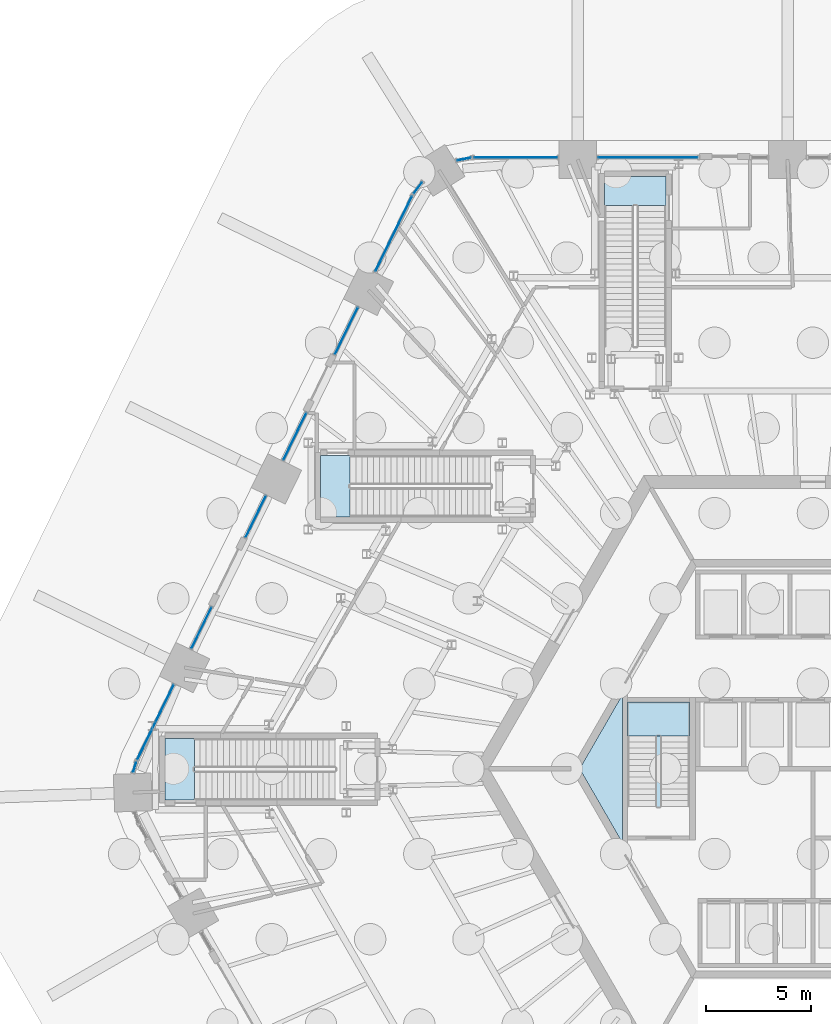
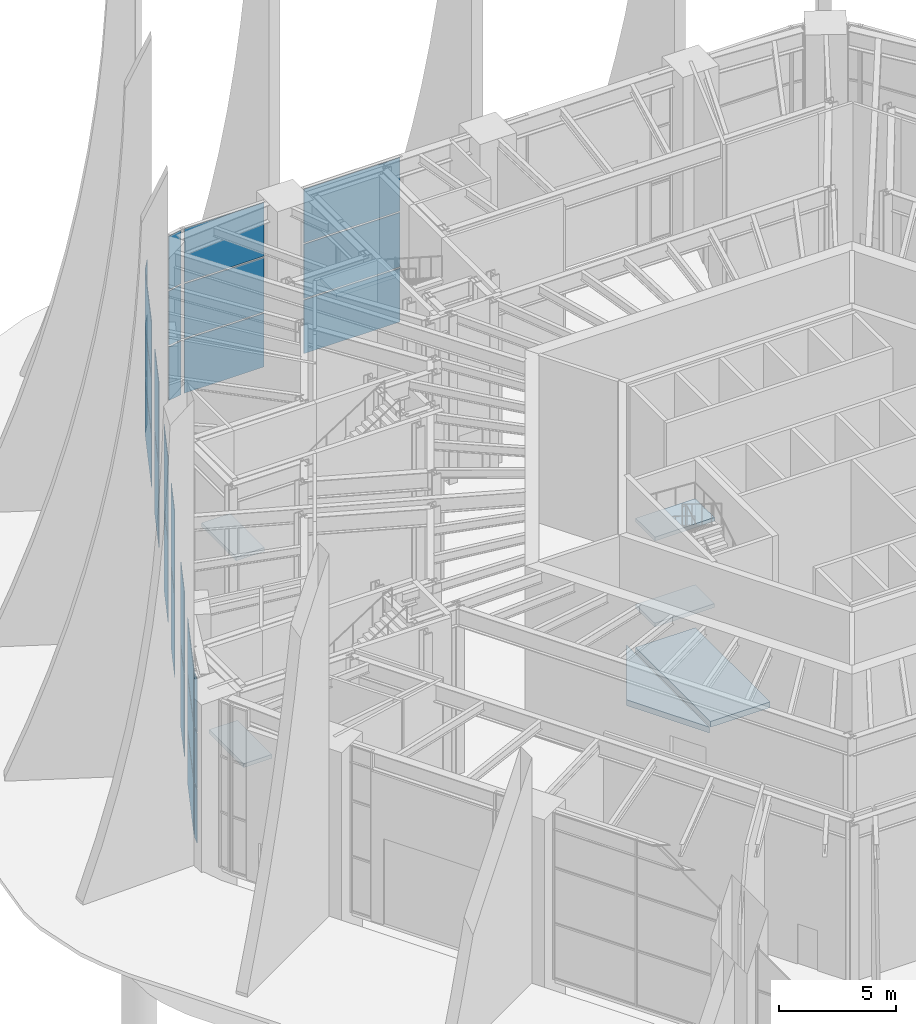
# One storey, part 21 of 43: 29 plates, 7 slabs, 15 elements without a shape of their own.
"""IFC4 building model written with IfcOpenShell, lengths in metres."""

from ifc_helpers import new_model, si_unit, direction, frame, origin, origin_2d, place, context, subcontext, project, spatial, polyline, rectangle, outline, extrude, material, layer, layer_set, type_object, element, aggregate, save


model = new_model("IFC4")

# Units and contexts
model_context = context("Model", 3, precision=1e-05, world=origin(), true_north=direction((0.0, 1.0)))
body_context = subcontext(model_context, "Body", "Model", "MODEL_VIEW")
ifc_project = project(units=[si_unit("LENGTHUNIT", "METRE"), si_unit("AREAUNIT", "SQUARE_METRE"), si_unit("VOLUMEUNIT", "CUBIC_METRE"), si_unit("PLANEANGLEUNIT", "RADIAN"), si_unit("MASSUNIT", "GRAM", prefix="KILO")], contexts=[model_context])

# Site, building, storey
site_placement = place(None, origin())
site = spatial("IfcSite", under=ifc_project, at=site_placement, CompositionType="ELEMENT")
building_placement = place(site_placement, origin())
building = spatial("IfcBuilding", under=site, at=building_placement, Name="Tarnside Tower", CompositionType="ELEMENT")
storey_placement = place(building_placement, origin())
storey = spatial("IfcBuildingStorey", under=building, at=storey_placement, Name="L00", CompositionType="ELEMENT", Elevation=0.0)

# Slabs
ifc_material_1 = material(Name="Concrete C40/50", Category="concrete")
ifc_layer_1 = layer(ifc_material_1, 0.300048828125)
ifc_layer_set_1 = layer_set([ifc_layer_1], Name="Core ground slab C40/50")
slab_type_1 = type_object("IfcSlabType", Name="Core ground slab C40/50", PredefinedType="BASESLAB", material=ifc_layer_set_1)
slab_1_placement = place(storey_placement, frame((0.0, 0.0, -0.300048828125)))
element("IfcSlab", 1, at=slab_1_placement, inside=storey, type_object=slab_type_1, Name="L00 core floor slab 4", PredefinedType="BASESLAB", context=body_context, shape_type="SweptSolid", body=[
    extrude(outline(polyline([(-11.142822265625, 0.0), (-9.10009765625, 3.538330078125), (-9.10009765625, -3.538330078125), (-11.142822265625, 0.0)])), origin(), (0.0, 0.0, 1.0), 0.300048828125),
])
slab_2_placement = place(storey_placement, frame((0.0, 0.0, -0.300048828125)))
element("IfcSlab", 2, at=slab_2_placement, inside=storey, type_object=slab_type_1, Name="L00 core floor slab 5", PredefinedType="BASESLAB", context=body_context, shape_type="SweptSolid", body=[
    extrude(outline(polyline([(-8.85009765625, 3.199951171875), (-5.89990234375, 3.199951171875), (-5.89990234375, -3.199951171875), (-8.85009765625, -3.199951171875), (-8.85009765625, 3.199951171875)])), origin(), (0.0, 0.0, 1.0), 0.300048828125),
])

# Stair, slab
stair_type_1 = type_object("IfcStairType", Name="Podium exit stair 1400 clear", PredefinedType="HALF_TURN_STAIR", material=ifc_material_1)
stair_1_placement = place(storey_placement, origin())
stair_1 = element("IfcStair", 3, at=stair_1_placement, inside=storey, type_object=stair_type_1, Name="L00 Podium exit stair 1", PredefinedType="HALF_TURN_STAIR")
ifc_layer_2 = layer(ifc_material_1, 0.199951171875)
ifc_layer_set_2 = layer_set([ifc_layer_2], Name="Podium stair landing 200 C40/50")
slab_type_2 = type_object("IfcSlabType", Name="Podium stair landing 200 C40/50", PredefinedType="LANDING", material=ifc_layer_set_2)
slab_3_placement = place(storey_placement, frame((0.0, 0.0, 4.300048828125)))
slab_3 = element("IfcSlab", 4, at=slab_3_placement, type_object=slab_type_2, Name="PS1 landing 1", PredefinedType="LANDING", context=body_context, shape_type="SweptSolid", body=[
    extrude(outline(polyline([(-7.0146484375, 26.89990234375), (-7.0146484375, 28.300048828125), (-9.96484375, 28.300048828125), (-9.96484375, 26.89990234375), (-7.0146484375, 26.89990234375)])), origin(), (0.0, 0.0, 1.0), 0.199951171875),
])
aggregate(stair_1, [slab_3])

stair_2_placement = place(storey_placement, origin())
stair_2 = element("IfcStair", 5, at=stair_2_placement, inside=storey, type_object=stair_type_1, Name="L00 Podium exit stair 2", PredefinedType="HALF_TURN_STAIR")
slab_4_placement = place(storey_placement, frame((0.0, 0.0, 4.300048828125)))
slab_4 = element("IfcSlab", 6, at=slab_4_placement, type_object=slab_type_2, Name="PS2 landing 1", PredefinedType="LANDING", context=body_context, shape_type="SweptSolid", body=[
    extrude(outline(polyline([(-29.550048828125, 1.449951171875), (-30.949951171875, 1.449951171875), (-30.949951171875, -1.5), (-29.550048828125, -1.5), (-29.550048828125, 1.449951171875)])), origin(), (0.0, 0.0, 1.0), 0.199951171875),
])
aggregate(stair_2, [slab_4])

stair_3_placement = place(storey_placement, origin())
stair_3 = element("IfcStair", 7, at=stair_3_placement, inside=storey, type_object=stair_type_1, Name="L00 Podium exit stair 6", PredefinedType="HALF_TURN_STAIR")
slab_5_placement = place(storey_placement, frame((0.0, 0.0, 4.300048828125)))
slab_5 = element("IfcSlab", 8, at=slab_5_placement, type_object=slab_type_2, Name="PS6 landing 1", PredefinedType="LANDING", context=body_context, shape_type="SweptSolid", body=[
    extrude(outline(polyline([(-22.110107421875, 14.97509765625), (-23.510009765625, 14.97509765625), (-23.510009765625, 12.02490234375), (-22.110107421875, 12.02490234375), (-22.110107421875, 14.97509765625)])), origin(), (0.0, 0.0, 1.0), 0.199951171875),
])
aggregate(stair_3, [slab_5])

# Curtain wall, plates
ifc_material_2 = material(Name="Retail shopfront glazing wall", Category="glass")
curtain_wall_type_1 = type_object("IfcCurtainWallType", Name="Retail shopfront glazing wall", PredefinedType="NOTDEFINED", material=ifc_material_2)
curtain_wall_1_placement = place(storey_placement, origin())
curtain_wall_1 = element("IfcCurtainWall", 9, at=curtain_wall_1_placement, inside=storey, type_object=curtain_wall_type_1, Name="Side light 04a", PredefinedType="NOTDEFINED")
ifc_material_3 = material(Name="Low-iron safety glass", Category="glass")
ifc_layer_3 = layer(ifc_material_3, 0.028076171875)
ifc_layer_set_3 = layer_set([ifc_layer_3], Name="Retail shopfront glazing panel 28")
plate_type_1 = type_object("IfcPlateType", Name="Retail shopfront glazing panel 28", PredefinedType="CURTAIN_PANEL", material=ifc_layer_set_3)
plate_1_placement = place(storey_placement, frame((-22.286865234375, 20.91552734375, 0.06005859375), z_axis=(0.0, 0.0, 1.0), x_axis=(-0.438371146883, -0.898794046253, 0.0)))
plate_1 = element("IfcPlate", 10, at=plate_1_placement, type_object=plate_type_1, Name="CW2 panel 1.1", PredefinedType="CURTAIN_PANEL", context=body_context, shape_type="SweptSolid", body=[
    extrude(rectangle(XDim=2.491943359375, YDim=0.028076171875, at=origin_2d()), origin(), (0.0, 0.0, 1.0), 4.284912109375),
])
plate_2_placement = place(storey_placement, frame((-22.286865234375, 20.91552734375, 4.4052734375), z_axis=(0.0, 0.0, 1.0), x_axis=(-0.438371146883, -0.898794046253, 0.0)))
plate_2 = element("IfcPlate", 11, at=plate_2_placement, type_object=plate_type_1, Name="CW2 panel 1.2", PredefinedType="CURTAIN_PANEL", context=body_context, shape_type="SweptSolid", body=[
    extrude(rectangle(XDim=2.491943359375, YDim=0.028076171875, at=origin_2d()), origin(), (0.0, 0.0, 1.0), 4.284912109375),
])
aggregate(curtain_wall_1, [plate_1, plate_2])

curtain_wall_2_placement = place(storey_placement, origin())
curtain_wall_2 = element("IfcCurtainWall", 12, at=curtain_wall_2_placement, inside=storey, type_object=curtain_wall_type_1, Name="Side light 04b", PredefinedType="NOTDEFINED")
plate_3_placement = place(storey_placement, frame((-24.746826171875, 15.87158203125, 0.06005859375), z_axis=(0.0, 0.0, 1.0), x_axis=(-0.438371146883, -0.898794046253, 0.0)))
plate_3 = element("IfcPlate", 13, at=plate_3_placement, type_object=plate_type_1, Name="CW2 panel 1.1", PredefinedType="CURTAIN_PANEL", context=body_context, shape_type="SweptSolid", body=[
    extrude(rectangle(XDim=2.491943359375, YDim=0.028076171875, at=origin_2d()), origin(), (0.0, 0.0, 1.0), 4.284912109375),
])
plate_4_placement = place(storey_placement, frame((-24.746826171875, 15.87158203125, 4.4052734375), z_axis=(0.0, 0.0, 1.0), x_axis=(-0.438371146883, -0.898794046253, 0.0)))
plate_4 = element("IfcPlate", 14, at=plate_4_placement, type_object=plate_type_1, Name="CW2 panel 1.2", PredefinedType="CURTAIN_PANEL", context=body_context, shape_type="SweptSolid", body=[
    extrude(rectangle(XDim=2.491943359375, YDim=0.028076171875, at=origin_2d()), origin(), (0.0, 0.0, 1.0), 4.284912109375),
])
aggregate(curtain_wall_2, [plate_3, plate_4])

curtain_wall_3_placement = place(storey_placement, origin())
curtain_wall_3 = element("IfcCurtainWall", 15, at=curtain_wall_3_placement, inside=storey, type_object=curtain_wall_type_1, Name="Side light 05a", PredefinedType="NOTDEFINED")
plate_5_placement = place(storey_placement, frame((-26.615234375, 12.041015625, 0.06005859375), z_axis=(0.0, 0.0, 1.0), x_axis=(-0.43837114693, -0.89879404623, 0.0)))
plate_5 = element("IfcPlate", 16, at=plate_5_placement, type_object=plate_type_1, Name="CW2 panel 1.1", PredefinedType="CURTAIN_PANEL", context=body_context, shape_type="SweptSolid", body=[
    extrude(rectangle(XDim=2.19189453125, YDim=0.028076171875, at=origin_2d()), origin(), (0.0, 0.0, 1.0), 4.284912109375),
])
plate_6_placement = place(storey_placement, frame((-26.615234375, 12.041015625, 4.4052734375), z_axis=(0.0, 0.0, 1.0), x_axis=(-0.43837114693, -0.89879404623, 0.0)))
plate_6 = element("IfcPlate", 17, at=plate_6_placement, type_object=plate_type_1, Name="CW2 panel 1.2", PredefinedType="CURTAIN_PANEL", context=body_context, shape_type="SweptSolid", body=[
    extrude(rectangle(XDim=2.19189453125, YDim=0.028076171875, at=origin_2d()), origin(), (0.0, 0.0, 1.0), 4.284912109375),
])
aggregate(curtain_wall_3, [plate_5, plate_6])

curtain_wall_4_placement = place(storey_placement, origin())
curtain_wall_4 = element("IfcCurtainWall", 18, at=curtain_wall_4_placement, inside=storey, type_object=curtain_wall_type_1, Name="Side light 05b", PredefinedType="NOTDEFINED")
plate_7_placement = place(storey_placement, frame((-29.206787109375, 6.7275390625, 0.06005859375), z_axis=(0.0, 0.0, 1.0), x_axis=(-0.43837114693, -0.89879404623, 0.0)))
plate_7 = element("IfcPlate", 19, at=plate_7_placement, type_object=plate_type_1, Name="CW2 panel 1.1", PredefinedType="CURTAIN_PANEL", context=body_context, shape_type="SweptSolid", body=[
    extrude(rectangle(XDim=2.19189453125, YDim=0.028076171875, at=origin_2d()), origin(), (0.0, 0.0, 1.0), 4.284912109375),
])
plate_8_placement = place(storey_placement, frame((-29.206787109375, 6.7275390625, 4.4052734375), z_axis=(0.0, 0.0, 1.0), x_axis=(-0.43837114693, -0.89879404623, 0.0)))
plate_8 = element("IfcPlate", 20, at=plate_8_placement, type_object=plate_type_1, Name="CW2 panel 1.2", PredefinedType="CURTAIN_PANEL", context=body_context, shape_type="SweptSolid", body=[
    extrude(rectangle(XDim=2.19189453125, YDim=0.028076171875, at=origin_2d()), origin(), (0.0, 0.0, 1.0), 4.284912109375),
])
aggregate(curtain_wall_4, [plate_7, plate_8])

# Stair, slabs
stair_type_2 = type_object("IfcStairType", Name="Exit stair 1400 clear", PredefinedType="HALF_TURN_STAIR", material=ifc_material_1)
stair_4_placement = place(storey_placement, origin())
stair_4 = element("IfcStair", 21, at=stair_4_placement, inside=storey, type_object=stair_type_2, Name="L00 Exit stair 2", PredefinedType="HALF_TURN_STAIR")
ifc_layer_4 = layer(ifc_material_1, 0.199951171875)
ifc_layer_set_4 = layer_set([ifc_layer_4], Name="Stair landing 200 C40/50")
slab_type_3 = type_object("IfcSlabType", Name="Stair landing 200 C40/50", PredefinedType="LANDING", material=ifc_layer_set_4)
slab_6_placement = place(storey_placement, frame((0.0, 0.0, 2.050048828125)))
slab_6 = element("IfcSlab", 22, at=slab_6_placement, type_object=slab_type_3, Name="ST2 landing 1", PredefinedType="LANDING", context=body_context, shape_type="SweptSolid", body=[
    extrude(outline(polyline([(-5.89990234375, 1.56005859375), (-5.89990234375, 3.199951171875), (-8.85009765625, 3.199951171875), (-8.85009765625, 1.56005859375), (-5.89990234375, 1.56005859375)])), origin(), (0.0, 0.0, 1.0), 0.199951171875),
])
slab_7_placement = place(storey_placement, frame((0.0, 0.0, 6.550048828125)))
slab_7 = element("IfcSlab", 23, at=slab_7_placement, type_object=slab_type_3, Name="ST2 landing 3", PredefinedType="LANDING", context=body_context, shape_type="SweptSolid", body=[
    extrude(outline(polyline([(-5.89990234375, 1.56005859375), (-5.89990234375, 3.199951171875), (-8.85009765625, 3.199951171875), (-8.85009765625, 1.56005859375), (-5.89990234375, 1.56005859375)])), origin(), (0.0, 0.0, 1.0), 0.199951171875),
])
aggregate(stair_4, [slab_6, slab_7])

# Curtain wall, plates
ifc_material_4 = material(Name="Station concourse glazing wall", Category="glass")
curtain_wall_type_2 = type_object("IfcCurtainWallType", Name="Station concourse glazing wall", PredefinedType="NOTDEFINED", material=ifc_material_4)
curtain_wall_5_placement = place(storey_placement, origin())
curtain_wall_5 = element("IfcCurtainWall", 24, at=curtain_wall_5_placement, inside=storey, type_object=curtain_wall_type_2, Name="Side light 010x1", PredefinedType="NOTDEFINED")
ifc_layer_5 = layer(ifc_material_3, 0.031982421875)
ifc_layer_set_5 = layer_set([ifc_layer_5], Name="Station concourse glazing panel 32")
plate_type_2 = type_object("IfcPlateType", Name="Station concourse glazing panel 32", PredefinedType="CURTAIN_PANEL", material=ifc_layer_set_5)
plate_9_placement = place(storey_placement, frame((-7.872802734375, 29.199951171875, 0.080078125), z_axis=(0.0, 0.0, 1.0), x_axis=(-1.0, 0.0, 0.0)))
plate_9 = element("IfcPlate", 25, at=plate_9_placement, type_object=plate_type_2, Name="CW1 panel 1.1", PredefinedType="CURTAIN_PANEL", context=body_context, shape_type="SweptSolid", body=[
    extrude(rectangle(XDim=4.763671875, YDim=0.031982421875, at=origin_2d()), origin(), (0.0, 0.0, 1.0), 2.796630859375),
])
plate_10_placement = place(storey_placement, frame((-7.872802734375, 29.199951171875, 2.95654296875), z_axis=(0.0, 0.0, 1.0), x_axis=(-1.0, 0.0, 0.0)))
plate_10 = element("IfcPlate", 26, at=plate_10_placement, type_object=plate_type_2, Name="CW1 panel 1.2", PredefinedType="CURTAIN_PANEL", context=body_context, shape_type="SweptSolid", body=[
    extrude(rectangle(XDim=4.763671875, YDim=0.031982421875, at=origin_2d()), origin(), (0.0, 0.0, 1.0), 2.836669921875),
])
plate_11_placement = place(storey_placement, frame((-7.872802734375, 29.199951171875, 5.87353515625), z_axis=(0.0, 0.0, 1.0), x_axis=(-1.0, 0.0, 0.0)))
plate_11 = element("IfcPlate", 27, at=plate_11_placement, type_object=plate_type_2, Name="CW1 panel 1.3", PredefinedType="CURTAIN_PANEL", context=body_context, shape_type="SweptSolid", body=[
    extrude(rectangle(XDim=4.763671875, YDim=0.031982421875, at=origin_2d()), origin(), (0.0, 0.0, 1.0), 2.796630859375),
])
aggregate(curtain_wall_5, [plate_9, plate_10, plate_11])

curtain_wall_6_placement = place(storey_placement, origin())
curtain_wall_6 = element("IfcCurtainWall", 28, at=curtain_wall_6_placement, inside=storey, type_object=curtain_wall_type_2, Name="Station concourse glazing L00 02.0", PredefinedType="NOTDEFINED")
plate_12_placement = place(storey_placement, frame((-14.190673828125, 29.199951171875, 0.080078125), z_axis=(0.0, 0.0, 1.0), x_axis=(-1.0, 0.0, 0.0)))
plate_12 = element("IfcPlate", 29, at=plate_12_placement, type_object=plate_type_2, Name="CW1 panel 1.1", PredefinedType="CURTAIN_PANEL", context=body_context, shape_type="SweptSolid", body=[
    extrude(rectangle(XDim=3.951904296875, YDim=0.031982421875, at=origin_2d()), origin(), (0.0, 0.0, 1.0), 2.796630859375),
])
plate_13_placement = place(storey_placement, frame((-14.190673828125, 29.199951171875, 2.95654296875), z_axis=(0.0, 0.0, 1.0), x_axis=(-1.0, 0.0, 0.0)))
plate_13 = element("IfcPlate", 30, at=plate_13_placement, type_object=plate_type_2, Name="CW1 panel 1.2", PredefinedType="CURTAIN_PANEL", context=body_context, shape_type="SweptSolid", body=[
    extrude(rectangle(XDim=3.951904296875, YDim=0.031982421875, at=origin_2d()), origin(), (0.0, 0.0, 1.0), 2.836669921875),
])
plate_14_placement = place(storey_placement, frame((-14.190673828125, 29.199951171875, 5.87353515625), z_axis=(0.0, 0.0, 1.0), x_axis=(-1.0, 0.0, 0.0)))
plate_14 = element("IfcPlate", 31, at=plate_14_placement, type_object=plate_type_2, Name="CW1 panel 1.3", PredefinedType="CURTAIN_PANEL", context=body_context, shape_type="SweptSolid", body=[
    extrude(rectangle(XDim=3.951904296875, YDim=0.031982421875, at=origin_2d()), origin(), (0.0, 0.0, 1.0), 2.796630859375),
])
aggregate(curtain_wall_6, [plate_12, plate_13, plate_14])

curtain_wall_7_placement = place(storey_placement, origin())
curtain_wall_7 = element("IfcCurtainWall", 32, at=curtain_wall_7_placement, inside=storey, type_object=curtain_wall_type_2, Name="Station concourse glazing L00 02.1", PredefinedType="NOTDEFINED")
plate_15_placement = place(storey_placement, frame((-16.668701171875, 29.122314453125, 0.080078125), z_axis=(0.0, 0.0, 1.0), x_axis=(-0.982720646541, -0.185094923925, 0.0)))
plate_15 = element("IfcPlate", 33, at=plate_15_placement, type_object=plate_type_2, Name="CW1 panel 1.1", PredefinedType="CURTAIN_PANEL", context=body_context, shape_type="SweptSolid", body=[
    extrude(rectangle(XDim=0.661376953125, YDim=0.031982421875, at=origin_2d()), origin(), (0.0, 0.0, 1.0), 2.796630859375),
])
plate_16_placement = place(storey_placement, frame((-16.668701171875, 29.122314453125, 2.95654296875), z_axis=(0.0, 0.0, 1.0), x_axis=(-0.982720646541, -0.185094923925, 0.0)))
plate_16 = element("IfcPlate", 34, at=plate_16_placement, type_object=plate_type_2, Name="CW1 panel 1.2", PredefinedType="CURTAIN_PANEL", context=body_context, shape_type="SweptSolid", body=[
    extrude(rectangle(XDim=0.661376953125, YDim=0.031982421875, at=origin_2d()), origin(), (0.0, 0.0, 1.0), 2.836669921875),
])
plate_17_placement = place(storey_placement, frame((-16.668701171875, 29.122314453125, 5.87353515625), z_axis=(0.0, 0.0, 1.0), x_axis=(-0.982720646541, -0.185094923925, 0.0)))
plate_17 = element("IfcPlate", 35, at=plate_17_placement, type_object=plate_type_2, Name="CW1 panel 1.3", PredefinedType="CURTAIN_PANEL", context=body_context, shape_type="SweptSolid", body=[
    extrude(rectangle(XDim=0.661376953125, YDim=0.031982421875, at=origin_2d()), origin(), (0.0, 0.0, 1.0), 2.796630859375),
])
aggregate(curtain_wall_7, [plate_15, plate_16, plate_17])

curtain_wall_8_placement = place(storey_placement, origin())
curtain_wall_8 = element("IfcCurtainWall", 36, at=curtain_wall_8_placement, inside=storey, type_object=curtain_wall_type_2, Name="Station concourse glazing L00 03.0", PredefinedType="NOTDEFINED")
plate_18_placement = place(storey_placement, frame((-18.867919921875, 27.748046875, 0.080078125), z_axis=(0.0, 0.0, 1.0), x_axis=(-0.597158590797, -0.802123193429, 0.0)))
plate_18 = element("IfcPlate", 37, at=plate_18_placement, type_object=plate_type_2, Name="CW1 panel 1.1", PredefinedType="CURTAIN_PANEL", context=body_context, shape_type="SweptSolid", body=[
    extrude(rectangle(XDim=0.661376953125, YDim=0.031982421875, at=origin_2d()), origin(), (0.0, 0.0, 1.0), 2.796630859375),
])
plate_19_placement = place(storey_placement, frame((-18.867919921875, 27.748046875, 2.95654296875), z_axis=(0.0, 0.0, 1.0), x_axis=(-0.597158590797, -0.802123193429, 0.0)))
plate_19 = element("IfcPlate", 38, at=plate_19_placement, type_object=plate_type_2, Name="CW1 panel 1.2", PredefinedType="CURTAIN_PANEL", context=body_context, shape_type="SweptSolid", body=[
    extrude(rectangle(XDim=0.661376953125, YDim=0.031982421875, at=origin_2d()), origin(), (0.0, 0.0, 1.0), 2.836669921875),
])
plate_20_placement = place(storey_placement, frame((-18.867919921875, 27.748046875, 5.87353515625), z_axis=(0.0, 0.0, 1.0), x_axis=(-0.597158590797, -0.802123193429, 0.0)))
plate_20 = element("IfcPlate", 39, at=plate_20_placement, type_object=plate_type_2, Name="CW1 panel 1.3", PredefinedType="CURTAIN_PANEL", context=body_context, shape_type="SweptSolid", body=[
    extrude(rectangle(XDim=0.661376953125, YDim=0.031982421875, at=origin_2d()), origin(), (0.0, 0.0, 1.0), 2.796630859375),
])
aggregate(curtain_wall_8, [plate_18, plate_19, plate_20])

curtain_wall_9_placement = place(storey_placement, origin())
curtain_wall_9 = element("IfcCurtainWall", 40, at=curtain_wall_9_placement, inside=storey, type_object=curtain_wall_type_2, Name="Station concourse glazing L00 03.1", PredefinedType="NOTDEFINED")
plate_21_placement = place(storey_placement, frame((-20.02392578125, 25.554931640625, 0.080078125), z_axis=(0.0, 0.0, 1.0), x_axis=(-0.438371146758, -0.898794046314, 0.0)))
plate_21 = element("IfcPlate", 41, at=plate_21_placement, type_object=plate_type_2, Name="CW1 panel 1.1", PredefinedType="CURTAIN_PANEL", context=body_context, shape_type="SweptSolid", body=[
    extrude(rectangle(XDim=3.951904296875, YDim=0.031982421875, at=origin_2d()), origin(), (0.0, 0.0, 1.0), 2.796630859375),
])
plate_22_placement = place(storey_placement, frame((-20.02392578125, 25.554931640625, 2.95654296875), z_axis=(0.0, 0.0, 1.0), x_axis=(-0.438371146758, -0.898794046314, 0.0)))
plate_22 = element("IfcPlate", 42, at=plate_22_placement, type_object=plate_type_2, Name="CW1 panel 1.2", PredefinedType="CURTAIN_PANEL", context=body_context, shape_type="SweptSolid", body=[
    extrude(rectangle(XDim=3.951904296875, YDim=0.031982421875, at=origin_2d()), origin(), (0.0, 0.0, 1.0), 2.836669921875),
])
plate_23_placement = place(storey_placement, frame((-20.02392578125, 25.554931640625, 5.87353515625), z_axis=(0.0, 0.0, 1.0), x_axis=(-0.438371146758, -0.898794046314, 0.0)))
plate_23 = element("IfcPlate", 43, at=plate_23_placement, type_object=plate_type_2, Name="CW1 panel 1.3", PredefinedType="CURTAIN_PANEL", context=body_context, shape_type="SweptSolid", body=[
    extrude(rectangle(XDim=3.951904296875, YDim=0.031982421875, at=origin_2d()), origin(), (0.0, 0.0, 1.0), 2.796630859375),
])
aggregate(curtain_wall_9, [plate_21, plate_22, plate_23])

curtain_wall_10_placement = place(storey_placement, origin())
curtain_wall_10 = element("IfcCurtainWall", 44, at=curtain_wall_10_placement, inside=storey, type_object=curtain_wall_type_2, Name="Station concourse glazing L00 06.0", PredefinedType="NOTDEFINED")
plate_24_placement = place(storey_placement, frame((-31.40380859375, 2.222900390625, 0.080078125), z_axis=(0.0, 0.0, 1.0), x_axis=(-0.438371146758, -0.898794046314, 0.0)))
plate_24 = element("IfcPlate", 45, at=plate_24_placement, type_object=plate_type_2, Name="CW1 panel 1.1", PredefinedType="CURTAIN_PANEL", context=body_context, shape_type="SweptSolid", body=[
    extrude(rectangle(XDim=3.951904296875, YDim=0.031982421875, at=origin_2d()), origin(), (0.0, 0.0, 1.0), 2.796630859375),
])
plate_25_placement = place(storey_placement, frame((-31.40380859375, 2.222900390625, 2.95654296875), z_axis=(0.0, 0.0, 1.0), x_axis=(-0.438371146758, -0.898794046314, 0.0)))
plate_25 = element("IfcPlate", 46, at=plate_25_placement, type_object=plate_type_2, Name="CW1 panel 1.2", PredefinedType="CURTAIN_PANEL", context=body_context, shape_type="SweptSolid", body=[
    extrude(rectangle(XDim=3.951904296875, YDim=0.031982421875, at=origin_2d()), origin(), (0.0, 0.0, 1.0), 2.836669921875),
])
plate_26_placement = place(storey_placement, frame((-31.40380859375, 2.222900390625, 5.87353515625), z_axis=(0.0, 0.0, 1.0), x_axis=(-0.438371146758, -0.898794046314, 0.0)))
plate_26 = element("IfcPlate", 47, at=plate_26_placement, type_object=plate_type_2, Name="CW1 panel 1.3", PredefinedType="CURTAIN_PANEL", context=body_context, shape_type="SweptSolid", body=[
    extrude(rectangle(XDim=3.951904296875, YDim=0.031982421875, at=origin_2d()), origin(), (0.0, 0.0, 1.0), 2.796630859375),
])
aggregate(curtain_wall_10, [plate_24, plate_25, plate_26])

curtain_wall_11_placement = place(storey_placement, origin())
curtain_wall_11 = element("IfcCurtainWall", 48, at=curtain_wall_11_placement, inside=storey, type_object=curtain_wall_type_2, Name="Station concourse glazing L00 06.1", PredefinedType="NOTDEFINED")
plate_27_placement = place(storey_placement, frame((-32.398193359375, 0.068603515625, 0.080078125), z_axis=(0.0, 0.0, 1.0), x_axis=(-0.286803232784, -0.957989512294, 0.0)))
plate_27 = element("IfcPlate", 49, at=plate_27_placement, type_object=plate_type_2, Name="CW1 panel 1.1", PredefinedType="CURTAIN_PANEL", context=body_context, shape_type="SweptSolid", body=[
    extrude(rectangle(XDim=0.4482421875, YDim=0.031982421875, at=origin_2d()), origin(), (0.0, 0.0, 1.0), 2.796630859375),
])
plate_28_placement = place(storey_placement, frame((-32.398193359375, 0.068603515625, 2.95654296875), z_axis=(0.0, 0.0, 1.0), x_axis=(-0.286803232784, -0.957989512294, 0.0)))
plate_28 = element("IfcPlate", 50, at=plate_28_placement, type_object=plate_type_2, Name="CW1 panel 1.2", PredefinedType="CURTAIN_PANEL", context=body_context, shape_type="SweptSolid", body=[
    extrude(rectangle(XDim=0.4482421875, YDim=0.031982421875, at=origin_2d()), origin(), (0.0, 0.0, 1.0), 2.836669921875),
])
plate_29_placement = place(storey_placement, frame((-32.398193359375, 0.068603515625, 5.87353515625), z_axis=(0.0, 0.0, 1.0), x_axis=(-0.286803232784, -0.957989512294, 0.0)))
plate_29 = element("IfcPlate", 51, at=plate_29_placement, type_object=plate_type_2, Name="CW1 panel 1.3", PredefinedType="CURTAIN_PANEL", context=body_context, shape_type="SweptSolid", body=[
    extrude(rectangle(XDim=0.4482421875, YDim=0.031982421875, at=origin_2d()), origin(), (0.0, 0.0, 1.0), 2.796630859375),
])
aggregate(curtain_wall_11, [plate_27, plate_28, plate_29])

save(model, "model.ifc")
